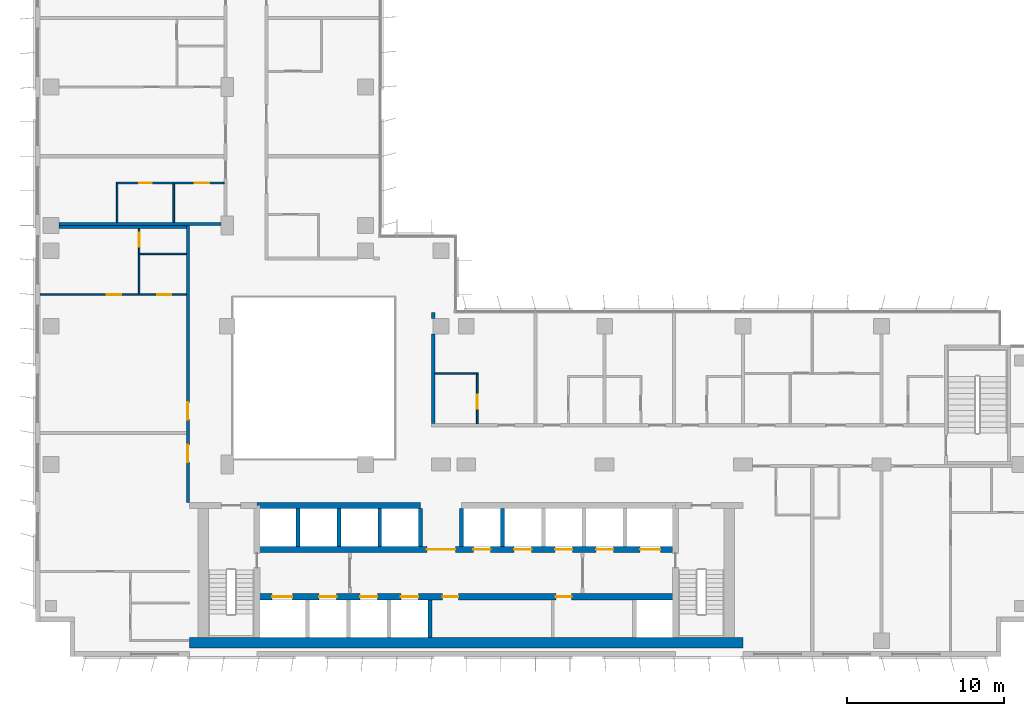
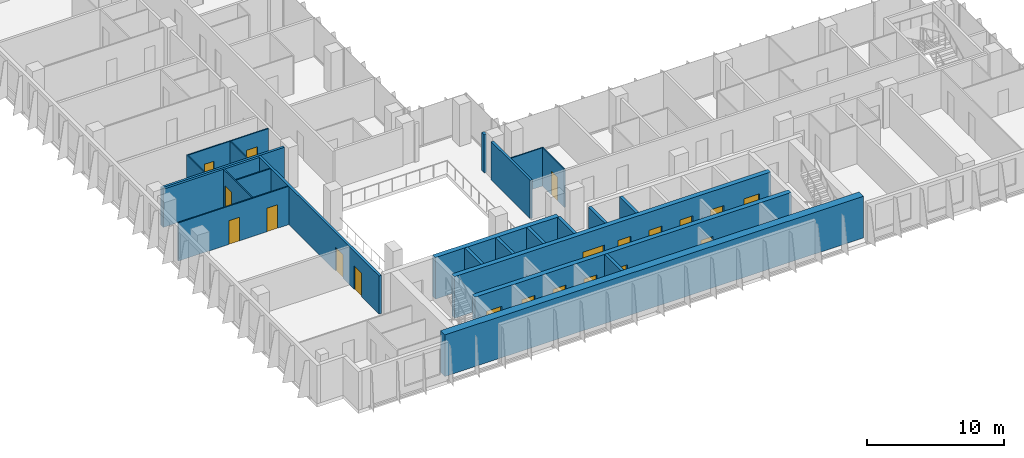
# One storey, part 13 of 21: 24 walls, 20 doors, 20 openings.
"""IFC4 building model written with IfcOpenShell, lengths in metres."""

from ifc_helpers import new_model, si_unit, direction, frame, frame_2d, origin, place, context, subcontext, project, spatial, rectangle, extrude, material, layer, layer_set, type_object, element, fill, save


model = new_model("IFC4")

# Units and contexts
model_context = context("Model", 3, precision=1e-05, world=origin(), true_north=direction((0.0, 1.0)))
body_context = subcontext(model_context, "Body", "Model", "MODEL_VIEW")
ifc_project = project(units=[si_unit("LENGTHUNIT", "METRE"), si_unit("AREAUNIT", "SQUARE_METRE"), si_unit("VOLUMEUNIT", "CUBIC_METRE"), si_unit("PLANEANGLEUNIT", "RADIAN"), si_unit("MASSUNIT", "GRAM", prefix="KILO")], contexts=[model_context])

# Site, building, storey
site_placement = place(None, origin())
site = spatial("IfcSite", under=ifc_project, at=site_placement, CompositionType="ELEMENT")
building_placement = place(site_placement, origin())
building = spatial("IfcBuilding", under=site, at=building_placement, Name="Kemantara Hotel Tower", CompositionType="ELEMENT")
storey_placement = place(building_placement, frame((0.0, 0.0, 208.0)))
storey = spatial("IfcBuildingStorey", under=building, at=storey_placement, Name="L51", CompositionType="ELEMENT", Elevation=208.0)

# Walls
ifc_material_1 = material(Name="Concrete fc 60 MPa", Category="concrete")
ifc_layer_1 = layer(ifc_material_1, 0.25)
ifc_layer_set_1 = layer_set([ifc_layer_1], Name="Concrete fc 60 MPa")
wall_type_1 = type_object("IfcWallType", Name="CORE WALL 250 FC60", PredefinedType="SHEAR", material=ifc_layer_set_1)
wall_1_placement = place(storey_placement, frame((25.10009765625, 1.199951171875, 0.0), z_axis=(0.0, 0.0, 1.0), x_axis=(0.0, 1.0, 0.0)))
element("IfcWall", 1, at=wall_1_placement, inside=storey, type_object=wall_type_1, Name="CORE WALL CW-DS25.1", PredefinedType="SHEAR", context=body_context, shape_type="SweptSolid", body=[
    extrude(rectangle(XDim=2.400146484375, YDim=0.25, at=frame_2d((1.2001953125, 0.0))), origin(), (0.0, 0.0, 1.0), 3.699951171875),
])
for number, where, z_axis, x_axis, name in (
    (2, (16.699951171875, 7.0, 0.0), (0.0, 0.0, 1.0), (0.0, 1.0, 0.0), "CORE WALL CW-DN16.7"),
    (3, (19.300048828125, 7.0, 0.0), (0.0, 0.0, 1.0), (0.0, 1.0, 0.0), "CORE WALL CW-DN19.3"),
    (4, (21.89990234375, 7.0, 0.0), (0.0, 0.0, 1.0), (0.0, 1.0, 0.0), "CORE WALL CW-DN21.9"),
    (5, (24.5, 7.0, 0.0), (0.0, 0.0, 1.0), (0.0, 1.0, 0.0), "CORE WALL CW-DN24.5"),
    (6, (27.10009765625, 7.0, 0.0), (0.0, 0.0, 1.0), (0.0, 1.0, 0.0), "CORE WALL CW-DN27.1"),
    (7, (29.699951171875, 7.0, 0.0), (0.0, 0.0, 1.0), (0.0, 1.0, 0.0), "CORE WALL CW-DN29.7"),
):
    element("IfcWall", number, at=place(storey_placement, frame(where, z_axis=z_axis, x_axis=x_axis)), inside=storey, type_object=wall_type_1, Name=name, PredefinedType="SHEAR", context=body_context, shape_type="SweptSolid", body=[
        extrude(rectangle(XDim=2.39990234375, YDim=0.25, at=frame_2d((1.199951171875, 0.0))), origin(), (0.0, 0.0, 1.0), 3.699951171875),
    ])
ifc_layer_2 = layer(ifc_material_1, 0.39990234375)
ifc_layer_set_2 = layer_set([ifc_layer_2], Name="Concrete fc 60 MPa")
wall_type_2 = type_object("IfcWallType", Name="CORE WALL 400 FC60", PredefinedType="SHEAR", material=ifc_layer_set_2)
wall_2_placement = place(storey_placement, frame((14.10009765625, 9.60009765625, 0.0), z_axis=(0.0, 0.0, 1.0), x_axis=(1.0, 0.0, 0.0)))
element("IfcWall", 8, at=wall_2_placement, inside=storey, type_object=wall_type_2, Name="CORE WALL CW-NN1", PredefinedType="SHEAR", context=body_context, shape_type="SweptSolid", body=[
    extrude(rectangle(XDim=10.39990234375, YDim=0.39990234375, at=frame_2d((5.199951171875, 0.0))), origin(), (0.0, 0.0, 1.0), 3.699951171875),
])

# Wall, openings, doors
wall_3_placement = place(storey_placement, frame((14.10009765625, 3.800048828125, 0.0), z_axis=(0.0, 0.0, 1.0), x_axis=(1.0, 0.0, 0.0)))
wall_3 = element("IfcWall", 9, at=wall_3_placement, inside=storey, type_object=wall_type_2, Name="CORE WALL CW-L1", PredefinedType="SHEAR", context=body_context, shape_type="SweptSolid", body=[
    extrude(rectangle(XDim=26.599853515625, YDim=0.39990234375, at=frame_2d((13.2998046875, 0.0))), origin(), (0.0, 0.0, 1.0), 3.699951171875),
])
opening_1_placement = place(wall_3_placement, frame((0.949951171875, 0.0, 0.0)))
opening_1 = element("IfcOpeningElement", 10, at=opening_1_placement, cuts=wall_3, Name="Opening C32-LD-FF1", PredefinedType="OPENING", context=body_context, shape_type="SweptSolid", body=[
    extrude(rectangle(XDim=1.300048828125, YDim=2.10009765625, at=frame_2d((0.64990234375, 1.050048828125))), frame((0.0, 0.2099609375, 0.0), z_axis=(0.0, -1.0, 0.0), x_axis=(1.0, 0.0, 0.0)), (0.0, 0.0, 1.0), 0.419921875),
])
opening_2_placement = place(wall_3_placement, frame((3.949951171875, 0.0, 0.0)))
opening_2 = element("IfcOpeningElement", 11, at=opening_2_placement, cuts=wall_3, Name="Opening C32-LD-SV1", PredefinedType="OPENING", context=body_context, shape_type="SweptSolid", body=[
    extrude(rectangle(XDim=1.10009765625, YDim=2.10009765625, at=frame_2d((0.550048828125, 1.050048828125))), frame((0.0, 0.2099609375, 0.0), z_axis=(0.0, -1.0, 0.0), x_axis=(1.0, 0.0, 0.0)), (0.0, 0.0, 1.0), 0.419921875),
])
opening_3_placement = place(wall_3_placement, frame((6.550048828125, 0.0, 0.0)))
opening_3 = element("IfcOpeningElement", 12, at=opening_3_placement, cuts=wall_3, Name="Opening C32-LD-SV2", PredefinedType="OPENING", context=body_context, shape_type="SweptSolid", body=[
    extrude(rectangle(XDim=1.10009765625, YDim=2.10009765625, at=frame_2d((0.550048828125, 1.050048828125))), frame((0.0, 0.2099609375, 0.0), z_axis=(0.0, -1.0, 0.0), x_axis=(1.0, 0.0, 0.0)), (0.0, 0.0, 1.0), 0.419921875),
])
opening_4_placement = place(wall_3_placement, frame((9.14990234375, 0.0, 0.0)))
opening_4 = element("IfcOpeningElement", 13, at=opening_4_placement, cuts=wall_3, Name="Opening C32-LD-SV3", PredefinedType="OPENING", context=body_context, shape_type="SweptSolid", body=[
    extrude(rectangle(XDim=1.10009765625, YDim=2.10009765625, at=frame_2d((0.550048828125, 1.050048828125))), frame((0.0, 0.2099609375, 0.0), z_axis=(0.0, -1.0, 0.0), x_axis=(1.0, 0.0, 0.0)), (0.0, 0.0, 1.0), 0.419921875),
])
opening_5_placement = place(wall_3_placement, frame((11.800048828125, 0.0, 0.0)))
opening_5 = element("IfcOpeningElement", 14, at=opening_5_placement, cuts=wall_3, Name="Opening C32-R-SM1", PredefinedType="OPENING", context=body_context, shape_type="SweptSolid", body=[
    extrude(rectangle(XDim=1.0, YDim=2.10009765625, at=frame_2d((0.5, 1.050048828125))), frame((0.0, 0.2099609375, 0.0), z_axis=(0.0, -1.0, 0.0), x_axis=(1.0, 0.0, 0.0)), (0.0, 0.0, 1.0), 0.419921875),
])
opening_6_placement = place(wall_3_placement, frame((19.0, 0.0, 0.0)))
opening_6 = element("IfcOpeningElement", 15, at=opening_6_placement, cuts=wall_3, Name="Opening C32-R-SM2", PredefinedType="OPENING", context=body_context, shape_type="SweptSolid", body=[
    extrude(rectangle(XDim=1.0, YDim=2.10009765625, at=frame_2d((0.5, 1.050048828125))), frame((0.0, 0.2099609375, 0.0), z_axis=(0.0, -1.0, 0.0), x_axis=(1.0, 0.0, 0.0)), (0.0, 0.0, 1.0), 0.419921875),
])
ifc_material_2 = material(Name="Steel fire door", Category="steel")
door_type_1 = type_object("IfcDoorType", Name="Fire door FD30S 1000 x 2100", OperationType="NOTDEFINED", PredefinedType="DOOR", material=ifc_material_2)
door_1_placement = place(opening_5_placement, frame((1.0, 0.0, 0.0), z_axis=(0.0, 0.0, 1.0), x_axis=(-1.0, 0.0, 0.0)))
door_1 = element("IfcDoor", 16, at=door_1_placement, inside=storey, type_object=door_type_1, Name="Linen Store door", OperationType="SINGLE_SWING_RIGHT", OverallHeight=2.10009765625, OverallWidth=1.0, PredefinedType="DOOR", context=body_context, shape_type="SweptSolid", body=[
    extrude(rectangle(XDim=1.0, YDim=2.10009765625, at=frame_2d((0.5, 1.050048828125))), frame((0.0, 0.02490234375, 0.0), z_axis=(0.0, -1.0, 0.0), x_axis=(1.0, 0.0, 0.0)), (0.0, 0.0, 1.0), 0.050048828125),
])
fill(opening_5, door_1)
door_2_placement = place(opening_6_placement, frame((1.0, 0.0, 0.0), z_axis=(0.0, 0.0, 1.0), x_axis=(-1.0, 0.0, 0.0)))
door_2 = element("IfcDoor", 17, at=door_2_placement, inside=storey, type_object=door_type_1, Name="Luggage Store door", OperationType="SINGLE_SWING_LEFT", OverallHeight=2.10009765625, OverallWidth=1.0, PredefinedType="DOOR", context=body_context, shape_type="SweptSolid", body=[
    extrude(rectangle(XDim=1.0, YDim=2.10009765625, at=frame_2d((0.5, 1.050048828125))), frame((0.0, 0.02490234375, 0.0), z_axis=(0.0, -1.0, 0.0), x_axis=(1.0, 0.0, 0.0)), (0.0, 0.0, 1.0), 0.050048828125),
])
fill(opening_6, door_2)
ifc_material_3 = material(Name="Stainless steel lift door", Category="steel")
door_type_2 = type_object("IfcDoorType", Name="Lift landing door 1100 x 2100 FD60", OperationType="DOUBLE_DOOR_SLIDING", PredefinedType="DOOR", material=ifc_material_3)
door_3_placement = place(opening_2_placement, origin())
door_3 = element("IfcDoor", 18, at=door_3_placement, inside=storey, type_object=door_type_2, Name="Lift SV1 landing door", OperationType="DOUBLE_DOOR_SLIDING", OverallHeight=2.10009765625, OverallWidth=1.10009765625, PredefinedType="DOOR", context=body_context, shape_type="SweptSolid", body=[
    extrude(rectangle(XDim=1.10009765625, YDim=2.10009765625, at=frame_2d((0.550048828125, 1.050048828125))), frame((0.0, 0.02490234375, 0.0), z_axis=(0.0, -1.0, 0.0), x_axis=(1.0, 0.0, 0.0)), (0.0, 0.0, 1.0), 0.050048828125),
])
fill(opening_2, door_3)
door_4_placement = place(opening_3_placement, origin())
door_4 = element("IfcDoor", 19, at=door_4_placement, inside=storey, type_object=door_type_2, Name="Lift SV2 landing door", OperationType="DOUBLE_DOOR_SLIDING", OverallHeight=2.10009765625, OverallWidth=1.10009765625, PredefinedType="DOOR", context=body_context, shape_type="SweptSolid", body=[
    extrude(rectangle(XDim=1.10009765625, YDim=2.10009765625, at=frame_2d((0.550048828125, 1.050048828125))), frame((0.0, 0.02490234375, 0.0), z_axis=(0.0, -1.0, 0.0), x_axis=(1.0, 0.0, 0.0)), (0.0, 0.0, 1.0), 0.050048828125),
])
fill(opening_3, door_4)
door_5_placement = place(opening_4_placement, origin())
door_5 = element("IfcDoor", 20, at=door_5_placement, inside=storey, type_object=door_type_2, Name="Lift SV3 landing door", OperationType="DOUBLE_DOOR_SLIDING", OverallHeight=2.10009765625, OverallWidth=1.10009765625, PredefinedType="DOOR", context=body_context, shape_type="SweptSolid", body=[
    extrude(rectangle(XDim=1.10009765625, YDim=2.10009765625, at=frame_2d((0.550048828125, 1.050048828125))), frame((0.0, 0.02490234375, 0.0), z_axis=(0.0, -1.0, 0.0), x_axis=(1.0, 0.0, 0.0)), (0.0, 0.0, 1.0), 0.050048828125),
])
fill(opening_4, door_5)
door_type_3 = type_object("IfcDoorType", Name="Lift landing door 1300 x 2100 FD90", OperationType="DOUBLE_DOOR_SLIDING", PredefinedType="DOOR", material=ifc_material_3)
door_6_placement = place(opening_1_placement, origin())
door_6 = element("IfcDoor", 21, at=door_6_placement, inside=storey, type_object=door_type_3, Name="Lift FF1 landing door", OperationType="DOUBLE_DOOR_SLIDING", OverallHeight=2.10009765625, OverallWidth=1.300048828125, PredefinedType="DOOR", context=body_context, shape_type="SweptSolid", body=[
    extrude(rectangle(XDim=1.300048828125, YDim=2.10009765625, at=frame_2d((0.64990234375, 1.050048828125))), frame((0.0, 0.02490234375, 0.0), z_axis=(0.0, -1.0, 0.0), x_axis=(1.0, 0.0, 0.0)), (0.0, 0.0, 1.0), 0.050048828125),
])
fill(opening_1, door_6)

wall_4_placement = place(storey_placement, frame((14.10009765625, 6.800048828125, 0.0), z_axis=(0.0, 0.0, 1.0), x_axis=(1.0, 0.0, 0.0)))
wall_4 = element("IfcWall", 22, at=wall_4_placement, inside=storey, type_object=wall_type_2, Name="CORE WALL CW-L2", PredefinedType="SHEAR", context=body_context, shape_type="SweptSolid", body=[
    extrude(rectangle(XDim=26.599853515625, YDim=0.39990234375, at=frame_2d((13.2998046875, 0.0))), origin(), (0.0, 0.0, 1.0), 3.699951171875),
])
opening_7_placement = place(wall_4_placement, frame((10.800048828125, 0.0, 0.0)))
opening_7 = element("IfcOpeningElement", 23, at=opening_7_placement, cuts=wall_4, Name="Opening C32-VL", PredefinedType="OPENING", context=body_context, shape_type="SweptSolid", body=[
    extrude(rectangle(XDim=1.800048828125, YDim=2.10009765625, at=frame_2d((0.89990234375, 1.050048828125))), frame((0.0, 0.2099609375, 0.0), z_axis=(0.0, -1.0, 0.0), x_axis=(1.0, 0.0, 0.0)), (0.0, 0.0, 1.0), 0.419921875),
])
opening_8_placement = place(wall_4_placement, frame((13.75, 0.0, 0.0)))
opening_8 = element("IfcOpeningElement", 24, at=opening_8_placement, cuts=wall_4, Name="Opening C32-LD-HR1", PredefinedType="OPENING", context=body_context, shape_type="SweptSolid", body=[
    extrude(rectangle(XDim=1.10009765625, YDim=2.10009765625, at=frame_2d((0.550048828125, 1.050048828125))), frame((0.0, 0.2099609375, 0.0), z_axis=(0.0, -1.0, 0.0), x_axis=(1.0, 0.0, 0.0)), (0.0, 0.0, 1.0), 0.419921875),
])
opening_9_placement = place(wall_4_placement, frame((16.35009765625, 0.0, 0.0)))
opening_9 = element("IfcOpeningElement", 25, at=opening_9_placement, cuts=wall_4, Name="Opening C32-LD-HR2", PredefinedType="OPENING", context=body_context, shape_type="SweptSolid", body=[
    extrude(rectangle(XDim=1.10009765625, YDim=2.10009765625, at=frame_2d((0.550048828125, 1.050048828125))), frame((0.0, 0.2099609375, 0.0), z_axis=(0.0, -1.0, 0.0), x_axis=(1.0, 0.0, 0.0)), (0.0, 0.0, 1.0), 0.419921875),
])
opening_10_placement = place(wall_4_placement, frame((18.949951171875, 0.0, 0.0)))
opening_10 = element("IfcOpeningElement", 26, at=opening_10_placement, cuts=wall_4, Name="Opening C32-LD-HR3", PredefinedType="OPENING", context=body_context, shape_type="SweptSolid", body=[
    extrude(rectangle(XDim=1.10009765625, YDim=2.10009765625, at=frame_2d((0.550048828125, 1.050048828125))), frame((0.0, 0.2099609375, 0.0), z_axis=(0.0, -1.0, 0.0), x_axis=(1.0, 0.0, 0.0)), (0.0, 0.0, 1.0), 0.419921875),
])
opening_11_placement = place(wall_4_placement, frame((21.550048828125, 0.0, 0.0)))
opening_11 = element("IfcOpeningElement", 27, at=opening_11_placement, cuts=wall_4, Name="Opening C32-LD-HR4", PredefinedType="OPENING", context=body_context, shape_type="SweptSolid", body=[
    extrude(rectangle(XDim=1.10009765625, YDim=2.10009765625, at=frame_2d((0.550048828125, 1.050048828125))), frame((0.0, 0.2099609375, 0.0), z_axis=(0.0, -1.0, 0.0), x_axis=(1.0, 0.0, 0.0)), (0.0, 0.0, 1.0), 0.419921875),
])
opening_12_placement = place(wall_4_placement, frame((24.35009765625, 0.0, 0.0)))
opening_12 = element("IfcOpeningElement", 28, at=opening_12_placement, cuts=wall_4, Name="Opening C32-LD-FF2", PredefinedType="OPENING", context=body_context, shape_type="SweptSolid", body=[
    extrude(rectangle(XDim=1.300048828125, YDim=2.10009765625, at=frame_2d((0.64990234375, 1.050048828125))), frame((0.0, 0.2099609375, 0.0), z_axis=(0.0, -1.0, 0.0), x_axis=(1.0, 0.0, 0.0)), (0.0, 0.0, 1.0), 0.419921875),
])
door_type_4 = type_object("IfcDoorType", Name="Fire door pair FD60 1800 x 2100", OperationType="DOUBLE_DOOR_SINGLE_SWING", PredefinedType="DOOR", material=ifc_material_2)
door_7_placement = place(opening_7_placement, frame((1.800048828125, 0.0, 0.0), z_axis=(0.0, 0.0, 1.0), x_axis=(-1.0, 0.0, 0.0)))
door_7 = element("IfcDoor", 29, at=door_7_placement, inside=storey, type_object=door_type_4, Name="Lift lobby entry door", OperationType="DOUBLE_DOOR_SINGLE_SWING", OverallHeight=2.10009765625, OverallWidth=1.800048828125, PredefinedType="DOOR", context=body_context, shape_type="SweptSolid", body=[
    extrude(rectangle(XDim=1.800048828125, YDim=2.10009765625, at=frame_2d((0.89990234375, 1.050048828125))), frame((0.0, 0.02490234375, 0.0), z_axis=(0.0, -1.0, 0.0), x_axis=(1.0, 0.0, 0.0)), (0.0, 0.0, 1.0), 0.050048828125),
])
fill(opening_7, door_7)
door_8_placement = place(opening_8_placement, origin())
door_8 = element("IfcDoor", 30, at=door_8_placement, inside=storey, type_object=door_type_2, Name="Lift HR1 landing door", OperationType="DOUBLE_DOOR_SLIDING", OverallHeight=2.10009765625, OverallWidth=1.10009765625, PredefinedType="DOOR", context=body_context, shape_type="SweptSolid", body=[
    extrude(rectangle(XDim=1.10009765625, YDim=2.10009765625, at=frame_2d((0.550048828125, 1.050048828125))), frame((0.0, 0.02490234375, 0.0), z_axis=(0.0, -1.0, 0.0), x_axis=(1.0, 0.0, 0.0)), (0.0, 0.0, 1.0), 0.050048828125),
])
fill(opening_8, door_8)
door_9_placement = place(opening_9_placement, origin())
door_9 = element("IfcDoor", 31, at=door_9_placement, inside=storey, type_object=door_type_2, Name="Lift HR2 landing door", OperationType="DOUBLE_DOOR_SLIDING", OverallHeight=2.10009765625, OverallWidth=1.10009765625, PredefinedType="DOOR", context=body_context, shape_type="SweptSolid", body=[
    extrude(rectangle(XDim=1.10009765625, YDim=2.10009765625, at=frame_2d((0.550048828125, 1.050048828125))), frame((0.0, 0.02490234375, 0.0), z_axis=(0.0, -1.0, 0.0), x_axis=(1.0, 0.0, 0.0)), (0.0, 0.0, 1.0), 0.050048828125),
])
fill(opening_9, door_9)
door_10_placement = place(opening_10_placement, origin())
door_10 = element("IfcDoor", 32, at=door_10_placement, inside=storey, type_object=door_type_2, Name="Lift HR3 landing door", OperationType="DOUBLE_DOOR_SLIDING", OverallHeight=2.10009765625, OverallWidth=1.10009765625, PredefinedType="DOOR", context=body_context, shape_type="SweptSolid", body=[
    extrude(rectangle(XDim=1.10009765625, YDim=2.10009765625, at=frame_2d((0.550048828125, 1.050048828125))), frame((0.0, 0.02490234375, 0.0), z_axis=(0.0, -1.0, 0.0), x_axis=(1.0, 0.0, 0.0)), (0.0, 0.0, 1.0), 0.050048828125),
])
fill(opening_10, door_10)
door_11_placement = place(opening_11_placement, origin())
door_11 = element("IfcDoor", 33, at=door_11_placement, inside=storey, type_object=door_type_2, Name="Lift HR4 landing door", OperationType="DOUBLE_DOOR_SLIDING", OverallHeight=2.10009765625, OverallWidth=1.10009765625, PredefinedType="DOOR", context=body_context, shape_type="SweptSolid", body=[
    extrude(rectangle(XDim=1.10009765625, YDim=2.10009765625, at=frame_2d((0.550048828125, 1.050048828125))), frame((0.0, 0.02490234375, 0.0), z_axis=(0.0, -1.0, 0.0), x_axis=(1.0, 0.0, 0.0)), (0.0, 0.0, 1.0), 0.050048828125),
])
fill(opening_11, door_11)
door_12_placement = place(opening_12_placement, origin())
door_12 = element("IfcDoor", 34, at=door_12_placement, inside=storey, type_object=door_type_3, Name="Lift FF2 landing door", OperationType="DOUBLE_DOOR_SLIDING", OverallHeight=2.10009765625, OverallWidth=1.300048828125, PredefinedType="DOOR", context=body_context, shape_type="SweptSolid", body=[
    extrude(rectangle(XDim=1.300048828125, YDim=2.10009765625, at=frame_2d((0.64990234375, 1.050048828125))), frame((0.0, 0.02490234375, 0.0), z_axis=(0.0, -1.0, 0.0), x_axis=(1.0, 0.0, 0.0)), (0.0, 0.0, 1.0), 0.050048828125),
])
fill(opening_12, door_12)

# Wall
ifc_layer_3 = layer(ifc_material_1, 0.64990234375)
ifc_layer_set_3 = layer_set([ifc_layer_3], Name="Concrete fc 60 MPa")
wall_type_3 = type_object("IfcWallType", Name="CORE WALL 650 FC60", PredefinedType="SHEAR", material=ifc_layer_set_3)
wall_5_placement = place(storey_placement, frame((9.800048828125, 0.875, 0.0), z_axis=(0.0, 0.0, 1.0), x_axis=(1.0, 0.0, 0.0)))
element("IfcWall", 35, at=wall_5_placement, inside=storey, type_object=wall_type_3, Name="CORE WALL CW-S", PredefinedType="SHEAR", context=body_context, shape_type="SweptSolid", body=[
    extrude(rectangle(XDim=35.199951171875, YDim=0.64990234375, at=frame_2d((17.60009765625, 0.0))), origin(), (0.0, 0.0, 1.0), 3.699951171875),
])

# Wall, openings, doors
ifc_material_4 = material(Name="Gypsum board partition, steel studs and mineral wool, 200 mm", Category="steel")
ifc_layer_4 = layer(ifc_material_4, 0.199951171875)
ifc_layer_set_4 = layer_set([ifc_layer_4], Name="Gypsum board partition, steel studs and mineral wool, 200 mm")
wall_type_4 = type_object("IfcWallType", Name="CORRIDOR WALL 200", PredefinedType="PARTITIONING", material=ifc_layer_set_4)
wall_6_placement = place(storey_placement, frame((9.699951171875, 9.800048828125, 0.0), z_axis=(0.0, 0.0, 1.0), x_axis=(0.0, 1.0, 0.0)))
wall_6 = element("IfcWall", 36, at=wall_6_placement, inside=storey, type_object=wall_type_4, Name="CORRIDOR WALL 200 014", PredefinedType="PARTITIONING", context=body_context, shape_type="SweptSolid", body=[
    extrude(rectangle(XDim=17.599853515625, YDim=0.199951171875, at=frame_2d((8.7998046875, 0.0))), origin(), (0.0, 0.0, 1.0), 3.39990234375),
])
opening_13_placement = place(wall_6_placement, frame((2.550048828125, 0.0, 0.0)))
opening_13 = element("IfcOpeningElement", 37, at=opening_13_placement, cuts=wall_6, Name="Opening F25-023", PredefinedType="OPENING", context=body_context, shape_type="SweptSolid", body=[
    extrude(rectangle(XDim=1.10009765625, YDim=2.10009765625, at=frame_2d((0.550048828125, 1.050048828125))), frame((0.0, 0.10986328125, 0.0), z_axis=(0.0, -1.0, 0.0), x_axis=(1.0, 0.0, 0.0)), (0.0, 0.0, 1.0), 0.219970703125),
])
opening_14_placement = place(wall_6_placement, frame((5.25, 0.0, 0.0)))
opening_14 = element("IfcOpeningElement", 38, at=opening_14_placement, cuts=wall_6, Name="Opening F25-027", PredefinedType="OPENING", context=body_context, shape_type="SweptSolid", body=[
    extrude(rectangle(XDim=1.10009765625, YDim=2.10009765625, at=frame_2d((0.550048828125, 1.050048828125))), frame((0.0, 0.10986328125, 0.0), z_axis=(0.0, -1.0, 0.0), x_axis=(1.0, 0.0, 0.0)), (0.0, 0.0, 1.0), 0.219970703125),
])
ifc_material_5 = material(Name="Hardwood veneer door leaf with steel frame", Category="steel")
door_type_5 = type_object("IfcDoorType", Name="SUITE ENTRANCE DOOR 1100 X 2100 FD30S", OperationType="NOTDEFINED", PredefinedType="DOOR", material=ifc_material_5)
door_13_placement = place(opening_13_placement, origin())
door_13 = element("IfcDoor", 39, at=door_13_placement, inside=storey, type_object=door_type_5, Name="SUITE ENTRANCE DOOR F25-023", OperationType="SINGLE_SWING_RIGHT", OverallHeight=2.10009765625, OverallWidth=1.10009765625, PredefinedType="DOOR", context=body_context, shape_type="SweptSolid", body=[
    extrude(rectangle(XDim=1.10009765625, YDim=2.10009765625, at=frame_2d((0.550048828125, 1.050048828125))), frame((0.0, 0.02490234375, 0.0), z_axis=(0.0, -1.0, 0.0), x_axis=(1.0, 0.0, 0.0)), (0.0, 0.0, 1.0), 0.050048828125),
])
fill(opening_13, door_13)
door_14_placement = place(opening_14_placement, origin())
door_14 = element("IfcDoor", 40, at=door_14_placement, inside=storey, type_object=door_type_5, Name="SUITE ENTRANCE DOOR F25-027", OperationType="SINGLE_SWING_LEFT", OverallHeight=2.10009765625, OverallWidth=1.10009765625, PredefinedType="DOOR", context=body_context, shape_type="SweptSolid", body=[
    extrude(rectangle(XDim=1.10009765625, YDim=2.10009765625, at=frame_2d((0.550048828125, 1.050048828125))), frame((0.0, 0.02490234375, 0.0), z_axis=(0.0, -1.0, 0.0), x_axis=(1.0, 0.0, 0.0)), (0.0, 0.0, 1.0), 0.050048828125),
])
fill(opening_14, door_14)

# Walls
ifc_layer_5 = layer(ifc_material_4, 0.199951171875)
ifc_layer_set_5 = layer_set([ifc_layer_5], Name="Gypsum board partition, steel studs and mineral wool, 200 mm")
wall_type_5 = type_object("IfcWallType", Name="GUEST ROOM PARTY WALL 200", PredefinedType="PARTITIONING", material=ifc_layer_set_5)
wall_7_placement = place(storey_placement, frame((25.300048828125, 14.800048828125, 0.0), z_axis=(0.0, 0.0, 1.0), x_axis=(0.0, 1.0, 0.0)))
element("IfcWall", 41, at=wall_7_placement, inside=storey, type_object=wall_type_5, Name="GUEST ROOM PARTY WALL 200 008", PredefinedType="PARTITIONING", context=body_context, shape_type="SweptSolid", body=[
    extrude(rectangle(XDim=5.699951171875, YDim=0.199951171875, at=frame_2d((2.85009765625, 0.0))), origin(), (0.0, 0.0, 1.0), 3.39990234375),
])
wall_8_placement = place(storey_placement, frame((25.300048828125, 21.5, 0.0), z_axis=(0.0, 0.0, 1.0), x_axis=(0.0, 1.0, 0.0)))
element("IfcWall", 42, at=wall_8_placement, inside=storey, type_object=wall_type_5, Name="GUEST ROOM PARTY WALL 200 009", PredefinedType="PARTITIONING", context=body_context, shape_type="SweptSolid", body=[
    extrude(rectangle(XDim=0.3701171875, YDim=0.199951171875, at=frame_2d((0.18505859375, 0.0))), origin(), (0.0, 0.0, 1.0), 3.39990234375),
])
wall_9_placement = place(storey_placement, frame((1.5, 27.300048828125, 0.0), z_axis=(0.0, 0.0, 1.0), x_axis=(1.0, 0.0, 0.0)))
element("IfcWall", 43, at=wall_9_placement, inside=storey, type_object=wall_type_5, Name="GUEST ROOM PARTY WALL 200 016", PredefinedType="PARTITIONING", context=body_context, shape_type="SweptSolid", body=[
    extrude(rectangle(XDim=8.10009765625, YDim=0.199951171875, at=frame_2d((4.050048828125, 0.0))), origin(), (0.0, 0.0, 1.0), 3.39990234375),
])
wall_10_placement = place(storey_placement, frame((1.5, 27.5, 0.0), z_axis=(0.0, 0.0, 1.0), x_axis=(1.0, 0.0, 0.0)))
element("IfcWall", 44, at=wall_10_placement, inside=storey, type_object=wall_type_5, Name="GUEST ROOM PARTY WALL 200 021", PredefinedType="PARTITIONING", context=body_context, shape_type="SweptSolid", body=[
    extrude(rectangle(XDim=10.2998046875, YDim=0.199951171875, at=frame_2d((5.14990234375, 0.0))), origin(), (0.0, 0.0, 1.0), 3.39990234375),
])
ifc_material_6 = material(Name="Gypsum board partition on steel studs, 100 mm", Category="steel")
ifc_layer_6 = layer(ifc_material_6, 0.10009765625)
ifc_layer_set_6 = layer_set([ifc_layer_6], Name="Gypsum board partition on steel studs, 100 mm")
wall_type_6 = type_object("IfcWallType", Name="ROOM PARTITION 100", PredefinedType="PARTITIONING", material=ifc_layer_set_6)
wall_11_placement = place(storey_placement, frame((25.39990234375, 18.0, 0.0), z_axis=(0.0, 0.0, 1.0), x_axis=(1.0, 0.0, 0.0)))
element("IfcWall", 45, at=wall_11_placement, inside=storey, type_object=wall_type_6, Name="ROOM PARTITION 100 039", PredefinedType="PARTITIONING", context=body_context, shape_type="SweptSolid", body=[
    extrude(rectangle(XDim=2.75, YDim=0.10009765625, at=frame_2d((1.375, 0.0))), origin(), (0.0, 0.0, 1.0), 3.39990234375),
])

# Wall, opening, door
wall_12_placement = place(storey_placement, frame((28.10009765625, 14.800048828125, 0.0), z_axis=(0.0, 0.0, 1.0), x_axis=(0.0, 1.0, 0.0)))
wall_12 = element("IfcWall", 46, at=wall_12_placement, inside=storey, type_object=wall_type_6, Name="ROOM PARTITION 100 041", PredefinedType="PARTITIONING", context=body_context, shape_type="SweptSolid", body=[
    extrude(rectangle(XDim=3.14990234375, YDim=0.10009765625, at=frame_2d((1.574951171875, 0.0))), origin(), (0.0, 0.0, 1.0), 3.39990234375),
])
opening_15_placement = place(wall_12_placement, frame((0.949951171875, 0.0, 0.0)))
opening_15 = element("IfcOpeningElement", 47, at=opening_15_placement, cuts=wall_12, Name="Opening F25-010", PredefinedType="OPENING", context=body_context, shape_type="SweptSolid", body=[
    extrude(rectangle(XDim=0.89990234375, YDim=2.10009765625, at=frame_2d((0.449951171875, 1.050048828125))), frame((0.0, 0.06005859375, 0.0), z_axis=(0.0, -1.0, 0.0), x_axis=(1.0, 0.0, 0.0)), (0.0, 0.0, 1.0), 0.1201171875),
])
door_type_6 = type_object("IfcDoorType", Name="BATHROOM DOOR 900 X 2100", OperationType="NOTDEFINED", PredefinedType="DOOR", material=ifc_material_5)
door_15_placement = place(opening_15_placement, origin())
door_15 = element("IfcDoor", 48, at=door_15_placement, inside=storey, type_object=door_type_6, Name="BATHROOM DOOR F25-010", OperationType="SINGLE_SWING_LEFT", OverallHeight=2.10009765625, OverallWidth=0.89990234375, PredefinedType="DOOR", context=body_context, shape_type="SweptSolid", body=[
    extrude(rectangle(XDim=0.89990234375, YDim=2.10009765625, at=frame_2d((0.449951171875, 1.050048828125))), frame((0.0, 0.02490234375, 0.0), z_axis=(0.0, -1.0, 0.0), x_axis=(1.0, 0.0, 0.0)), (0.0, 0.0, 1.0), 0.050048828125),
])
fill(opening_15, door_15)

wall_13_placement = place(storey_placement, frame((6.60009765625, 27.199951171875, 0.0), z_axis=(0.0, 0.0, 1.0), x_axis=(0.0, -1.0, 0.0)))
wall_13 = element("IfcWall", 49, at=wall_13_placement, inside=storey, type_object=wall_type_6, Name="ROOM PARTITION 100 056", PredefinedType="PARTITIONING", context=body_context, shape_type="SweptSolid", body=[
    extrude(rectangle(XDim=4.14990234375, YDim=0.10009765625, at=frame_2d((2.074951171875, 0.0))), origin(), (0.0, 0.0, 1.0), 3.39990234375),
])
opening_16_placement = place(wall_13_placement, frame((0.25, 0.0, 0.0)))
opening_16 = element("IfcOpeningElement", 50, at=opening_16_placement, cuts=wall_13, Name="Opening F25-030", PredefinedType="OPENING", context=body_context, shape_type="SweptSolid", body=[
    extrude(rectangle(XDim=0.89990234375, YDim=2.10009765625, at=frame_2d((0.449951171875, 1.050048828125))), frame((0.0, 0.06005859375, 0.0), z_axis=(0.0, -1.0, 0.0), x_axis=(1.0, 0.0, 0.0)), (0.0, 0.0, 1.0), 0.1201171875),
])
door_16_placement = place(opening_16_placement, origin())
door_16 = element("IfcDoor", 51, at=door_16_placement, inside=storey, type_object=door_type_6, Name="BATHROOM DOOR F25-030", OperationType="SINGLE_SWING_RIGHT", OverallHeight=2.10009765625, OverallWidth=0.89990234375, PredefinedType="DOOR", context=body_context, shape_type="SweptSolid", body=[
    extrude(rectangle(XDim=0.89990234375, YDim=2.10009765625, at=frame_2d((0.449951171875, 1.050048828125))), frame((0.0, 0.02490234375, 0.0), z_axis=(0.0, -1.0, 0.0), x_axis=(1.0, 0.0, 0.0)), (0.0, 0.0, 1.0), 0.050048828125),
])
fill(opening_16, door_16)

# Wall, openings, doors
wall_14_placement = place(storey_placement, frame((0.31005859375, 23.0, 0.0), z_axis=(0.0, 0.0, 1.0), x_axis=(1.0, 0.0, 0.0)))
wall_14 = element("IfcWall", 52, at=wall_14_placement, inside=storey, type_object=wall_type_6, Name="ROOM PARTITION 100 057", PredefinedType="PARTITIONING", context=body_context, shape_type="SweptSolid", body=[
    extrude(rectangle(XDim=9.2900390625, YDim=0.10009765625, at=frame_2d((4.64501953125, 0.0))), origin(), (0.0, 0.0, 1.0), 3.39990234375),
])
opening_17_placement = place(wall_14_placement, frame((7.43994140625, 0.0, 0.0)))
opening_17 = element("IfcOpeningElement", 53, at=opening_17_placement, cuts=wall_14, Name="Opening F25-028", PredefinedType="OPENING", context=body_context, shape_type="SweptSolid", body=[
    extrude(rectangle(XDim=0.89990234375, YDim=2.10009765625, at=frame_2d((0.449951171875, 1.050048828125))), frame((0.0, 0.06005859375, 0.0), z_axis=(0.0, -1.0, 0.0), x_axis=(1.0, 0.0, 0.0)), (0.0, 0.0, 1.0), 0.1201171875),
])
opening_18_placement = place(wall_14_placement, frame((4.239990234375, 0.0, 0.0)))
opening_18 = element("IfcOpeningElement", 54, at=opening_18_placement, cuts=wall_14, Name="Opening F25-029", PredefinedType="OPENING", context=body_context, shape_type="SweptSolid", body=[
    extrude(rectangle(XDim=0.89990234375, YDim=2.10009765625, at=frame_2d((0.449951171875, 1.050048828125))), frame((0.0, 0.06005859375, 0.0), z_axis=(0.0, -1.0, 0.0), x_axis=(1.0, 0.0, 0.0)), (0.0, 0.0, 1.0), 0.1201171875),
])
door_type_7 = type_object("IfcDoorType", Name="INTERNAL DOOR 900 X 2100", OperationType="NOTDEFINED", PredefinedType="DOOR", material=ifc_material_5)
door_17_placement = place(opening_18_placement, origin())
door_17 = element("IfcDoor", 55, at=door_17_placement, inside=storey, type_object=door_type_7, Name="INTERNAL DOOR F25-029", OperationType="SINGLE_SWING_RIGHT", OverallHeight=2.10009765625, OverallWidth=0.89990234375, PredefinedType="DOOR", context=body_context, shape_type="SweptSolid", body=[
    extrude(rectangle(XDim=0.89990234375, YDim=2.10009765625, at=frame_2d((0.449951171875, 1.050048828125))), frame((0.0, 0.02490234375, 0.0), z_axis=(0.0, -1.0, 0.0), x_axis=(1.0, 0.0, 0.0)), (0.0, 0.0, 1.0), 0.050048828125),
])
fill(opening_18, door_17)
door_type_8 = type_object("IfcDoorType", Name="PANTRY DOOR 900 X 2100", OperationType="NOTDEFINED", PredefinedType="DOOR", material=ifc_material_5)
door_18_placement = place(opening_17_placement, frame((0.89990234375, 0.0, 0.0), z_axis=(0.0, 0.0, 1.0), x_axis=(-1.0, 0.0, 0.0)))
door_18 = element("IfcDoor", 56, at=door_18_placement, inside=storey, type_object=door_type_8, Name="PANTRY DOOR F25-028", OperationType="SINGLE_SWING_RIGHT", OverallHeight=2.10009765625, OverallWidth=0.89990234375, PredefinedType="DOOR", context=body_context, shape_type="SweptSolid", body=[
    extrude(rectangle(XDim=0.89990234375, YDim=2.10009765625, at=frame_2d((0.449951171875, 1.050048828125))), frame((0.0, 0.02490234375, 0.0), z_axis=(0.0, -1.0, 0.0), x_axis=(1.0, 0.0, 0.0)), (0.0, 0.0, 1.0), 0.050048828125),
])
fill(opening_17, door_18)

# Walls
wall_15_placement = place(storey_placement, frame((6.64990234375, 25.60009765625, 0.0), z_axis=(0.0, 0.0, 1.0), x_axis=(1.0, 0.0, 0.0)))
element("IfcWall", 57, at=wall_15_placement, inside=storey, type_object=wall_type_6, Name="ROOM PARTITION 100 058", PredefinedType="PARTITIONING", context=body_context, shape_type="SweptSolid", body=[
    extrude(rectangle(XDim=2.9501953125, YDim=0.10009765625, at=frame_2d((1.47509765625, 0.0))), origin(), (0.0, 0.0, 1.0), 3.39990234375),
])
wall_16_placement = place(storey_placement, frame((5.199951171875, 27.60009765625, 0.0), z_axis=(0.0, 0.0, 1.0), x_axis=(0.0, 1.0, 0.0)))
element("IfcWall", 58, at=wall_16_placement, inside=storey, type_object=wall_type_6, Name="ROOM PARTITION 100 059", PredefinedType="PARTITIONING", context=body_context, shape_type="SweptSolid", body=[
    extrude(rectangle(XDim=2.5498046875, YDim=0.10009765625, at=frame_2d((1.27490234375, 0.0))), origin(), (0.0, 0.0, 1.0), 3.39990234375),
])
wall_17_placement = place(storey_placement, frame((8.800048828125, 27.60009765625, 0.0), z_axis=(0.0, 0.0, 1.0), x_axis=(0.0, 1.0, 0.0)))
element("IfcWall", 59, at=wall_17_placement, inside=storey, type_object=wall_type_6, Name="ROOM PARTITION 100 060", PredefinedType="PARTITIONING", context=body_context, shape_type="SweptSolid", body=[
    extrude(rectangle(XDim=2.449951171875, YDim=0.10009765625, at=frame_2d((1.22509765625, 0.0))), origin(), (0.0, 0.0, 1.0), 3.39990234375),
])

# Wall, openings, doors
wall_18_placement = place(storey_placement, frame((12.0, 30.10009765625, 0.0), z_axis=(0.0, 0.0, 1.0), x_axis=(-1.0, 0.0, 0.0)))
wall_18 = element("IfcWall", 60, at=wall_18_placement, inside=storey, type_object=wall_type_6, Name="ROOM PARTITION 100 062", PredefinedType="PARTITIONING", context=body_context, shape_type="SweptSolid", body=[
    extrude(rectangle(XDim=6.75, YDim=0.10009765625, at=frame_2d((3.375, 0.0))), origin(), (0.0, 0.0, 1.0), 3.39990234375),
])
opening_19_placement = place(wall_18_placement, frame((0.949951171875, 0.0, 0.0)))
opening_19 = element("IfcOpeningElement", 61, at=opening_19_placement, cuts=wall_18, Name="Opening F25-032", PredefinedType="OPENING", context=body_context, shape_type="SweptSolid", body=[
    extrude(rectangle(XDim=0.89990234375, YDim=2.10009765625, at=frame_2d((0.449951171875, 1.050048828125))), frame((0.0, 0.06005859375, 0.0), z_axis=(0.0, -1.0, 0.0), x_axis=(1.0, 0.0, 0.0)), (0.0, 0.0, 1.0), 0.1201171875),
])
opening_20_placement = place(wall_18_placement, frame((4.60009765625, 0.0, 0.0)))
opening_20 = element("IfcOpeningElement", 62, at=opening_20_placement, cuts=wall_18, Name="Opening F25-033", PredefinedType="OPENING", context=body_context, shape_type="SweptSolid", body=[
    extrude(rectangle(XDim=0.800048828125, YDim=2.10009765625, at=frame_2d((0.39990234375, 1.050048828125))), frame((0.0, 0.06005859375, 0.0), z_axis=(0.0, -1.0, 0.0), x_axis=(1.0, 0.0, 0.0)), (0.0, 0.0, 1.0), 0.1201171875),
])
door_19_placement = place(opening_19_placement, origin())
door_19 = element("IfcDoor", 63, at=door_19_placement, inside=storey, type_object=door_type_6, Name="BATHROOM DOOR F25-032", OperationType="SINGLE_SWING_LEFT", OverallHeight=2.10009765625, OverallWidth=0.89990234375, PredefinedType="DOOR", context=body_context, shape_type="SweptSolid", body=[
    extrude(rectangle(XDim=0.89990234375, YDim=2.10009765625, at=frame_2d((0.449951171875, 1.050048828125))), frame((0.0, 0.02490234375, 0.0), z_axis=(0.0, -1.0, 0.0), x_axis=(1.0, 0.0, 0.0)), (0.0, 0.0, 1.0), 0.050048828125),
])
fill(opening_19, door_19)
door_type_9 = type_object("IfcDoorType", Name="INTERNAL DOOR 800 X 2100", OperationType="NOTDEFINED", PredefinedType="DOOR", material=ifc_material_5)
door_20_placement = place(opening_20_placement, origin())
door_20 = element("IfcDoor", 64, at=door_20_placement, inside=storey, type_object=door_type_9, Name="INTERNAL DOOR F25-033", OperationType="SINGLE_SWING_LEFT", OverallHeight=2.10009765625, OverallWidth=0.800048828125, PredefinedType="DOOR", context=body_context, shape_type="SweptSolid", body=[
    extrude(rectangle(XDim=0.800048828125, YDim=2.10009765625, at=frame_2d((0.39990234375, 1.050048828125))), frame((0.0, 0.02490234375, 0.0), z_axis=(0.0, -1.0, 0.0), x_axis=(1.0, 0.0, 0.0)), (0.0, 0.0, 1.0), 0.050048828125),
])
fill(opening_20, door_20)

save(model, "model.ifc")
